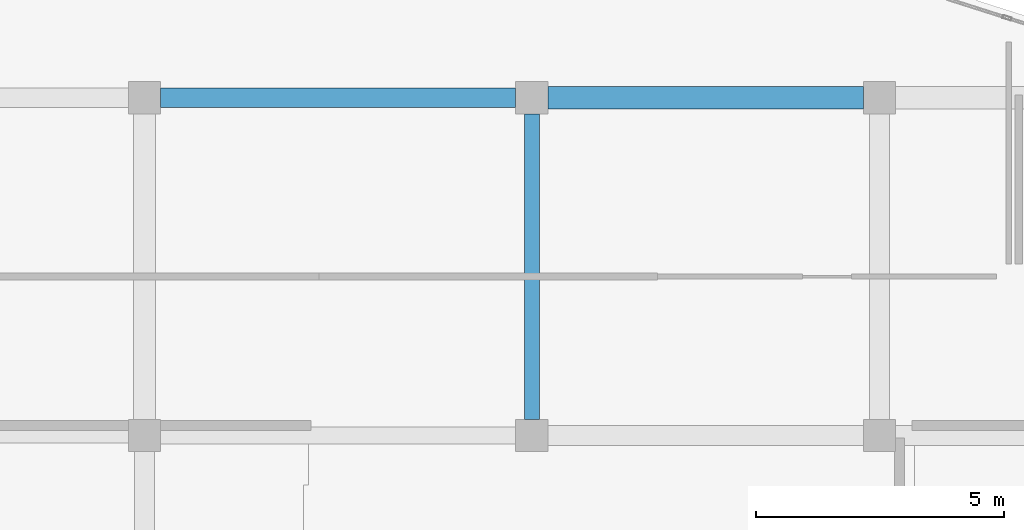
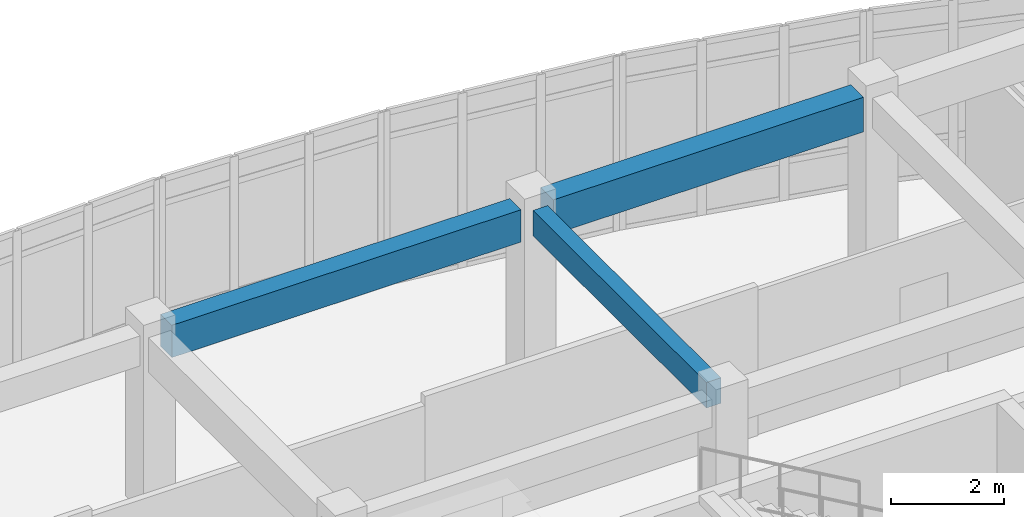
# One storey, part 55 of 146: 3 beams.
"""IFC4 building model written with IfcOpenShell, lengths in metres."""

from ifc_helpers import new_model, si_unit, direction, frame, origin, origin_2d, place, context, subcontext, project, spatial, rectangle, extrude, material, material_profile, profile_set, type_object, element, save


model = new_model("IFC4")

# Units and contexts
model_context = context("Model", 3, precision=1e-05, world=origin(), true_north=direction((0.0, 1.0)))
body_context = subcontext(model_context, "Body", "Model", "MODEL_VIEW")
ifc_project = project(units=[si_unit("LENGTHUNIT", "METRE"), si_unit("AREAUNIT", "SQUARE_METRE"), si_unit("VOLUMEUNIT", "CUBIC_METRE"), si_unit("PLANEANGLEUNIT", "RADIAN"), si_unit("MASSUNIT", "GRAM", prefix="KILO")], contexts=[model_context])

# Site, building, storey
site_placement = place(None, origin())
site = spatial("IfcSite", under=ifc_project, at=site_placement, CompositionType="ELEMENT")
building_placement = place(site_placement, origin())
building = spatial("IfcBuilding", under=site, at=building_placement, Name="Valcora Specialist Clinic", CompositionType="ELEMENT")
storey_placement = place(building_placement, frame((0.0, 0.0, 9.52001953125)))
storey = spatial("IfcBuildingStorey", under=building, at=storey_placement, Name="L02", CompositionType="ELEMENT", Elevation=9.52001953125)

# Beams
ifc_material = material(Name="Concrete C40/50", Category="concrete")
ifc_material_profile_1 = material_profile(ifc_material, rectangle(XDim=0.300048828125, YDim=0.550048828125, at=origin_2d()), Name="RC-BM-300X550")
ifc_profile_set_1 = profile_set([ifc_material_profile_1], Name="Concrete C40/50")
beam_type_1 = type_object("IfcBeamType", Name="TY-BM-RC300X550", PredefinedType="BEAM", material=ifc_profile_set_1)
beam_1_placement = place(storey_placement, frame((92.39990234375, 15.52490234375, 3.5048828125), z_axis=(0.0, 1.0, 0.0), x_axis=(-1.0, 0.0, 0.0)))
element("IfcBeam", 1, at=beam_1_placement, inside=storey, type_object=beam_type_1, Name="Beam BM-L02-1409", PredefinedType="BEAM", context=body_context, shape_type="SweptSolid", body=[
    extrude(rectangle(XDim=0.300048828125, YDim=0.550048828125, at=origin_2d()), origin(), (0.0, 0.0, 1.0), 6.150146484375),
])
ifc_material_profile_2 = material_profile(ifc_material, rectangle(XDim=0.39990234375, YDim=0.699951171875, at=origin_2d()), Name="RC-BM-400X700")
ifc_profile_set_2 = profile_set([ifc_material_profile_2], Name="Concrete C40/50")
beam_type_2 = type_object("IfcBeamType", Name="TY-BM-RC400X700", PredefinedType="BEAM", material=ifc_profile_set_2)
beam_2_placement = place(storey_placement, frame((84.925048828125, 22.0, 3.429931640625), z_axis=(1.0, 0.0, 0.0), x_axis=(0.0, 1.0, 0.0)))
element("IfcBeam", 2, at=beam_2_placement, inside=storey, type_object=beam_type_2, Name="Beam BM-L02-1390", PredefinedType="BEAM", context=body_context, shape_type="SweptSolid", body=[
    extrude(rectangle(XDim=0.39990234375, YDim=0.699951171875, at=origin_2d()), origin(), (0.0, 0.0, 1.0), 7.14990234375),
])
ifc_material_profile_3 = material_profile(ifc_material, rectangle(XDim=0.449951171875, YDim=0.75, at=origin_2d()), Name="RC-BM-450X750")
ifc_profile_set_3 = profile_set([ifc_material_profile_3], Name="Concrete C40/50")
beam_type_3 = type_object("IfcBeamType", Name="TY-BM-RC450X750", PredefinedType="BEAM", material=ifc_profile_set_3)
beam_3_placement = place(storey_placement, frame((92.72509765625, 22.0, 3.405029296875), z_axis=(1.0, 0.0, 0.0), x_axis=(0.0, 1.0, 0.0)))
element("IfcBeam", 3, at=beam_3_placement, inside=storey, type_object=beam_type_3, Name="Beam BM-L02-1391", PredefinedType="BEAM", context=body_context, shape_type="SweptSolid", body=[
    extrude(rectangle(XDim=0.449951171875, YDim=0.75, at=origin_2d()), origin(), (0.0, 0.0, 1.0), 6.349853515625),
])

save(model, "model.ifc")
